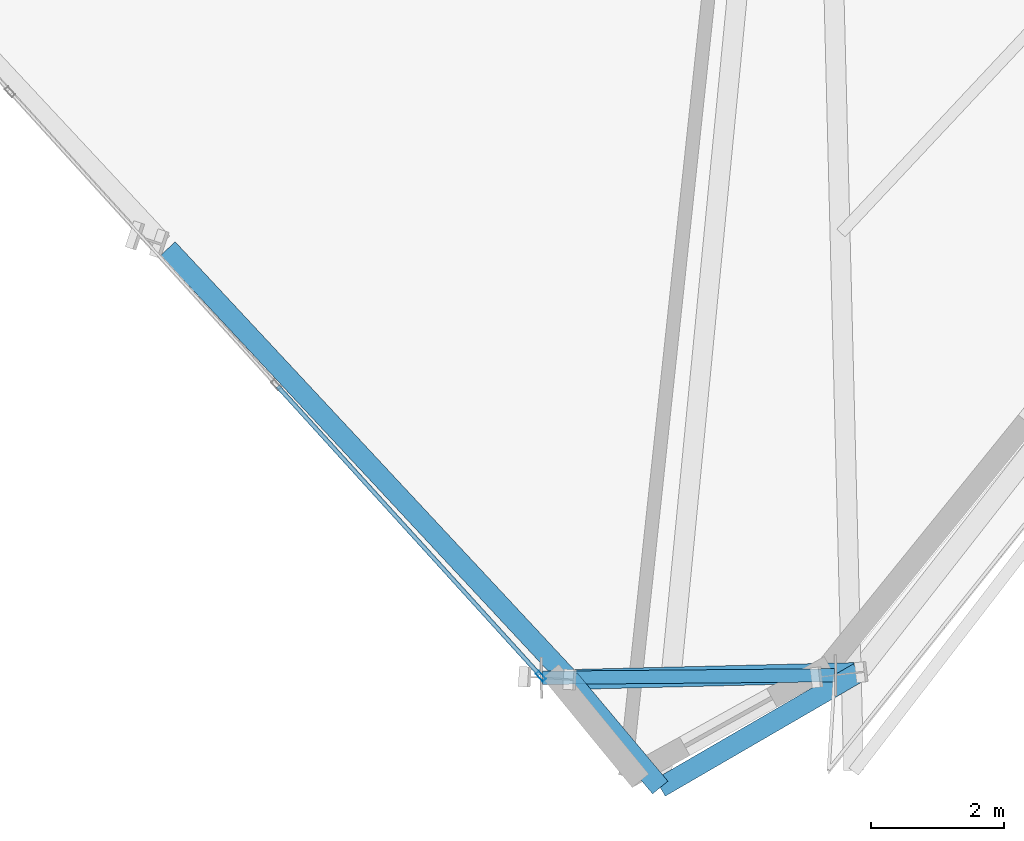
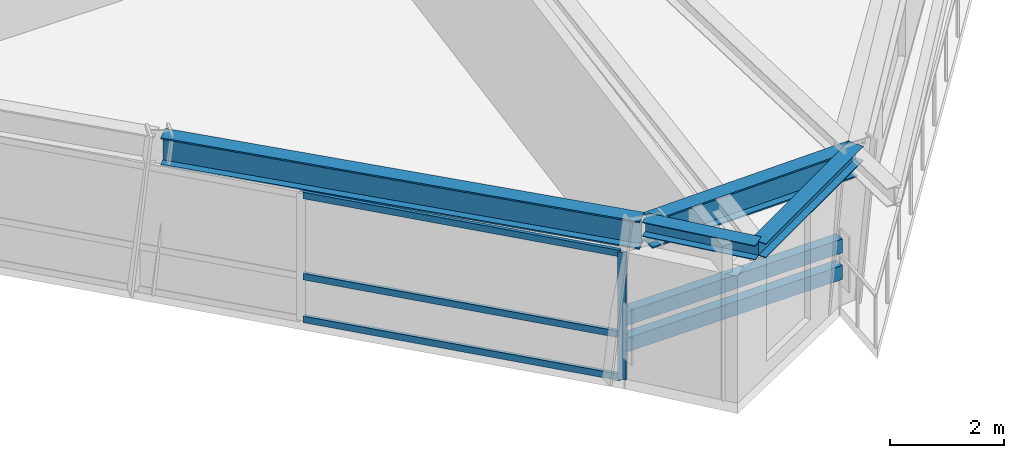
# One storey, part 3 of 13: 6 members, 4 beams, 1 element without a shape of its own.
"""IFC4 building model written with IfcOpenShell, lengths in metres."""

from ifc_helpers import new_model, si_unit, direction, frame, origin, origin_2d, place, context, subcontext, project, spatial, hollow_rectangle, i_section, extrude, source, transform, mapped, material, material_profile, profile_set, type_object, element, aggregate, save


model = new_model("IFC4")

# Units and contexts
model_context = context("Model", 3, precision=1e-05, world=origin(), true_north=direction((0.0, 1.0)))
body_context = subcontext(model_context, "Body", "Model", "MODEL_VIEW")
ifc_project = project(units=[si_unit("LENGTHUNIT", "METRE"), si_unit("AREAUNIT", "SQUARE_METRE"), si_unit("VOLUMEUNIT", "CUBIC_METRE"), si_unit("PLANEANGLEUNIT", "RADIAN"), si_unit("MASSUNIT", "GRAM", prefix="KILO")], contexts=[model_context])

# Site, building, storey
site_placement = place(None, origin())
site = spatial("IfcSite", under=ifc_project, at=site_placement, CompositionType="ELEMENT")
building_placement = place(site_placement, origin())
building = spatial("IfcBuilding", under=site, at=building_placement, Name="Olszyna Solenne Hotel", CompositionType="ELEMENT")
storey_placement = place(building_placement, frame((0.0, 0.0, 175.0)))
storey = spatial("IfcBuildingStorey", under=building, at=storey_placement, Name="L46", CompositionType="ELEMENT", Elevation=175.0)

# Beams
ifc_material_1 = material(Name="Steel S355J2", Category="steel")
ifc_material_profile_1 = material_profile(ifc_material_1, i_section(OverallWidth=0.300048828125, OverallDepth=0.60009765625, WebThickness=0.015380859375, FlangeThickness=0.030029296875, at=origin_2d()), Name="HEB 600", Category="load-bearing")
ifc_profile_set_1 = profile_set([ifc_material_profile_1], Name="Steel S355J2")
beam_type_1 = type_object("IfcBeamType", Name="BM-S2", PredefinedType="BEAM", material=ifc_profile_set_1)
shared_shape_1 = source(origin(), body_context, "Body", "SweptSolid", [
    extrude(i_section(OverallWidth=0.300048828125, OverallDepth=0.60009765625, WebThickness=0.015380859375, FlangeThickness=0.030029296875, at=origin_2d()), origin(), (0.0, 0.0, 1.0), 8.797607421875),
])
beam_1_placement = place(storey_placement, frame((28.3876953125, 8.902587890625, 3.030029296875), z_axis=(0.681919684855, -0.731427059526, 0.0), x_axis=(0.731427059526, 0.681919684855, 0.0)))
element("IfcBeam", 1, at=beam_1_placement, inside=storey, type_object=beam_type_1, Name="Perimeter spandrel beam BM-S2 B-L46-1370", PredefinedType="BEAM", context=body_context, shape_type="MappedRepresentation", body=[
    mapped(shared_shape_1, transform((0.0, 0.0, 0.0), x_axis=(1.0, 0.0, 0.0), y_axis=(0.0, 1.0, 0.0), z_axis=(0.0, 0.0, 1.0), scale=1.0)),
])
shared_shape_2 = source(origin(), body_context, "Body", "SweptSolid", [
    extrude(i_section(OverallWidth=0.300048828125, OverallDepth=0.60009765625, WebThickness=0.015380859375, FlangeThickness=0.030029296875, at=origin_2d()), origin(), (0.0, 0.0, 1.0), 4.22216796875),
])
beam_2_placement = place(storey_placement, frame((34.48779296875, 2.42529296875, 3.030029296875), z_axis=(0.999702243567, 0.02440131568, 0.0), x_axis=(-0.02440131568, 0.999702243567, 0.0)))
element("IfcBeam", 2, at=beam_2_placement, inside=storey, type_object=beam_type_1, Name="Perimeter spandrel beam BM-S2 B-L46-1371", PredefinedType="BEAM", context=body_context, shape_type="MappedRepresentation", body=[
    mapped(shared_shape_2, transform((0.0, 0.0, 0.0), x_axis=(1.0, 0.0, 0.0), y_axis=(0.0, 1.0, 0.0), z_axis=(0.0, 0.0, 1.0), scale=1.0)),
])
ifc_material_profile_2 = material_profile(ifc_material_1, i_section(OverallWidth=0.300048828125, OverallDepth=0.31005859375, WebThickness=0.009033203125, FlangeThickness=0.015380859375, at=origin_2d()), Name="HEA 320", Category="load-bearing")
ifc_profile_set_2 = profile_set([ifc_material_profile_2], Name="Steel S355J2")
beam_type_2 = type_object("IfcBeamType", Name="BM-G3", PredefinedType="BEAM", material=ifc_profile_set_2)
shared_shape_3 = source(origin(), body_context, "Body", "SweptSolid", [
    extrude(i_section(OverallWidth=0.300048828125, OverallDepth=0.31005859375, WebThickness=0.009033203125, FlangeThickness=0.015380859375, at=origin_2d()), origin(), (0.0, 0.0, 1.0), 2.119384765625),
])
beam_3_placement = place(storey_placement, frame((34.427734375, 2.423828125, 3.175048828125), z_axis=(0.642662433291, -0.766149461161, 0.0), x_axis=(0.766149461161, 0.642662433291, 0.0)))
element("IfcBeam", 3, at=beam_3_placement, inside=storey, type_object=beam_type_2, Name="Prism side edge beam BM-G3 B-L46-1384", PredefinedType="BEAM", context=body_context, shape_type="MappedRepresentation", body=[
    mapped(shared_shape_3, transform((0.0, 0.0, 0.0), x_axis=(1.0, 0.0, 0.0), y_axis=(0.0, 1.0, 0.0), z_axis=(0.0, 0.0, 1.0), scale=1.0)),
])
shared_shape_4 = source(origin(), body_context, "Body", "SweptSolid", [
    extrude(i_section(OverallWidth=0.300048828125, OverallDepth=0.31005859375, WebThickness=0.009033203125, FlangeThickness=0.015380859375, at=origin_2d()), origin(), (0.0, 0.0, 1.0), 3.44482421875),
])
beam_4_placement = place(storey_placement, frame((38.768798828125, 2.52978515625, 3.175048828125), z_axis=(-0.864789939379, -0.502133807614, 0.0), x_axis=(0.502133807614, -0.864789939379, 0.0)))
element("IfcBeam", 4, at=beam_4_placement, inside=storey, type_object=beam_type_2, Name="Prism side edge beam BM-G3 B-L46-1385", PredefinedType="BEAM", context=body_context, shape_type="MappedRepresentation", body=[
    mapped(shared_shape_4, transform((0.0, 0.0, 0.0), x_axis=(1.0, 0.0, 0.0), y_axis=(0.0, 1.0, 0.0), z_axis=(0.0, 0.0, 1.0), scale=1.0)),
])

# Members
ifc_material_profile_3 = material_profile(ifc_material_1, hollow_rectangle(XDim=0.199951171875, YDim=0.300048828125, WallThickness=0.01611328125, at=origin_2d()), Name="RHS 300x200x16", Category="load-bearing")
ifc_profile_set_3 = profile_set([ifc_material_profile_3], Name="Steel S355J2")
member_type_1 = type_object("IfcMemberType", Name="CH-PR1", PredefinedType="CHORD", material=ifc_profile_set_3)
shared_shape_5 = source(origin(), body_context, "Body", "SweptSolid", [
    extrude(hollow_rectangle(XDim=0.199951171875, YDim=0.300048828125, WallThickness=0.01611328125, at=origin_2d()), origin(), (0.0, 0.0, 1.0), 4.3935546875),
])
for number, where, z_axis, x_axis, name in (
    (5, (34.017822265625, 2.449462890625, 1.35009765625), (0.999961942451, 0.008724313696, 0.0), (-0.008724313696, 0.999961942451, 0.0), "Glass-prism tie chord CH-PR1 M-L46-PR1"),
    (6, (34.017822265625, 2.449462890625, 0.780029296875), (0.999961942451, 0.008724313696, 0.0), (-0.008724313696, 0.999961942451, 0.0), "Glass-prism tie chord CH-PR1 M-L46-PR2"),
):
    element("IfcMember", number, at=place(storey_placement, frame(where, z_axis=z_axis, x_axis=x_axis)), inside=storey, type_object=member_type_1, Name=name, PredefinedType="CHORD", context=body_context, shape_type="MappedRepresentation", body=[
        mapped(shared_shape_5, transform((0.0, 0.0, 0.0), x_axis=(1.0, 0.0, 0.0), y_axis=(0.0, 1.0, 0.0), z_axis=(0.0, 0.0, 1.0), scale=1.0)),
    ])

# Curtain wall, members
ifc_material_2 = material(Name="Anodised bronze aluminium", Category="aluminium")
curtain_wall_type = type_object("IfcCurtainWallType", Name="CW-SYS-4", PredefinedType="NOTDEFINED", material=ifc_material_2)
curtain_wall_placement = place(storey_placement, origin())
curtain_wall = element("IfcCurtainWall", 7, at=curtain_wall_placement, inside=storey, type_object=curtain_wall_type, Name="Unitised curtain wall CW-SYS-4 CW-L46-01", PredefinedType="NOTDEFINED")
ifc_material_profile_4 = material_profile(ifc_material_2, hollow_rectangle(XDim=0.06494140625, YDim=0.159912109375, WallThickness=0.00390625, at=origin_2d()), Name="MULL 160x65x4", Category="load-bearing")
ifc_profile_set_4 = profile_set([ifc_material_profile_4], Name="Anodised bronze aluminium")
member_type_2 = type_object("IfcMemberType", Name="CW-M3", PredefinedType="MULLION", material=ifc_profile_set_4)
shared_shape_6 = source(origin(), body_context, "Body", "SweptSolid", [
    extrude(hollow_rectangle(XDim=0.06494140625, YDim=0.159912109375, WallThickness=0.00390625, at=origin_2d()), origin(), (0.0, 0.0, 1.0), 2.721923828125),
])
member_1_placement = place(storey_placement, frame((33.99609375, 2.473388671875, 0.0), z_axis=(0.0, 0.0, 1.0), x_axis=(0.740258315562, 0.672322561158, 0.0)))
member_1 = element("IfcMember", 8, at=member_1_placement, type_object=member_type_2, Name="Curtain-wall mullion CW-M3 CM-L46-01-04", PredefinedType="MULLION", context=body_context, shape_type="MappedRepresentation", body=[
    mapped(shared_shape_6, transform((0.0, 0.0, 0.0), x_axis=(1.0, 0.0, 0.0), y_axis=(0.0, 1.0, 0.0), z_axis=(0.0, 0.0, 1.0), scale=1.0)),
])
ifc_material_profile_5 = material_profile(ifc_material_2, hollow_rectangle(XDim=0.06494140625, YDim=0.139892578125, WallThickness=0.00390625, at=origin_2d()), Name="TRAN 140x65x4", Category="load-bearing")
ifc_profile_set_5 = profile_set([ifc_material_profile_5], Name="Anodised bronze aluminium")
member_type_3 = type_object("IfcMemberType", Name="CW-T2", PredefinedType="USERDEFINED", material=ifc_profile_set_5)
shared_shape_7 = source(origin(), body_context, "Body", "SweptSolid", [
    extrude(hollow_rectangle(XDim=0.06494140625, YDim=0.139892578125, WallThickness=0.00390625, at=origin_2d()), origin(), (0.0, 0.0, 1.0), 5.853759765625),
])
member_2_placement = place(storey_placement, frame((30.03857421875, 6.830810546875, 0.032470703125), z_axis=(0.672319810545, -0.740260813733, 0.0), x_axis=(0.740260813733, 0.672319810545, 0.0)))
member_2 = element("IfcMember", 9, at=member_2_placement, type_object=member_type_3, Name="Curtain-wall transom CW-T2 CT-L46-01-07", ObjectType="TRANSOM", PredefinedType="USERDEFINED", context=body_context, shape_type="MappedRepresentation", body=[
    mapped(shared_shape_7, transform((0.0, 0.0, 0.0), x_axis=(1.0, 0.0, 0.0), y_axis=(0.0, 1.0, 0.0), z_axis=(0.0, 0.0, 1.0), scale=1.0)),
])
member_3_placement = place(storey_placement, frame((30.03857421875, 6.830810546875, 0.949951171875), z_axis=(0.672319810545, -0.740260813733, 0.0), x_axis=(0.740260813733, 0.672319810545, 0.0)))
member_3 = element("IfcMember", 10, at=member_3_placement, type_object=member_type_3, Name="Curtain-wall transom CW-T2 CT-L46-01-08", ObjectType="TRANSOM", PredefinedType="USERDEFINED", context=body_context, shape_type="MappedRepresentation", body=[
    mapped(shared_shape_7, transform((0.0, 0.0, 0.0), x_axis=(1.0, 0.0, 0.0), y_axis=(0.0, 1.0, 0.0), z_axis=(0.0, 0.0, 1.0), scale=1.0)),
])
member_4_placement = place(storey_placement, frame((30.03857421875, 6.830810546875, 2.689453125), z_axis=(0.672319810545, -0.740260813733, 0.0), x_axis=(0.740260813733, 0.672319810545, 0.0)))
member_4 = element("IfcMember", 11, at=member_4_placement, type_object=member_type_3, Name="Curtain-wall transom CW-T2 CT-L46-01-09", ObjectType="TRANSOM", PredefinedType="USERDEFINED", context=body_context, shape_type="MappedRepresentation", body=[
    mapped(shared_shape_7, transform((0.0, 0.0, 0.0), x_axis=(1.0, 0.0, 0.0), y_axis=(0.0, 1.0, 0.0), z_axis=(0.0, 0.0, 1.0), scale=1.0)),
])
aggregate(curtain_wall, [member_1, member_2, member_3, member_4])

save(model, "model.ifc")
